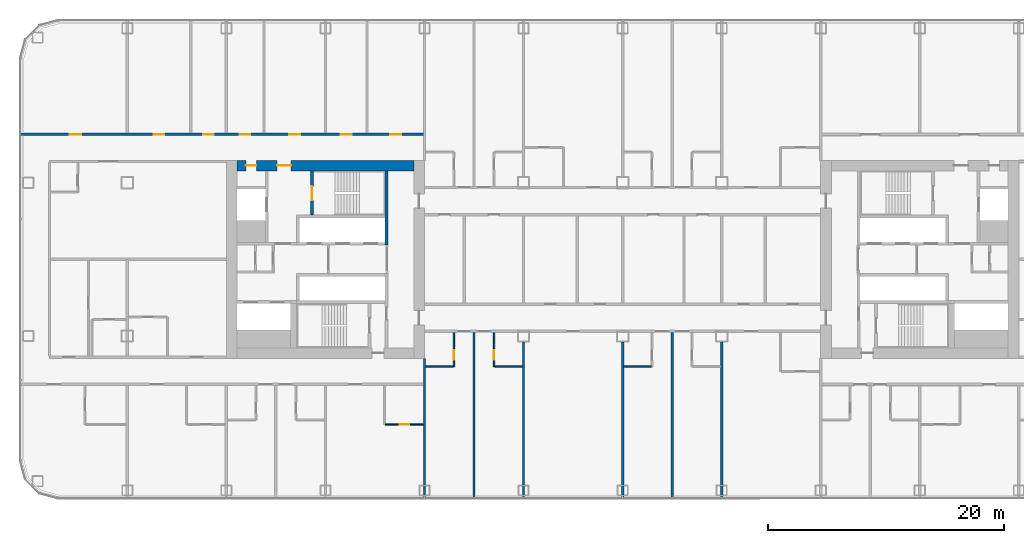
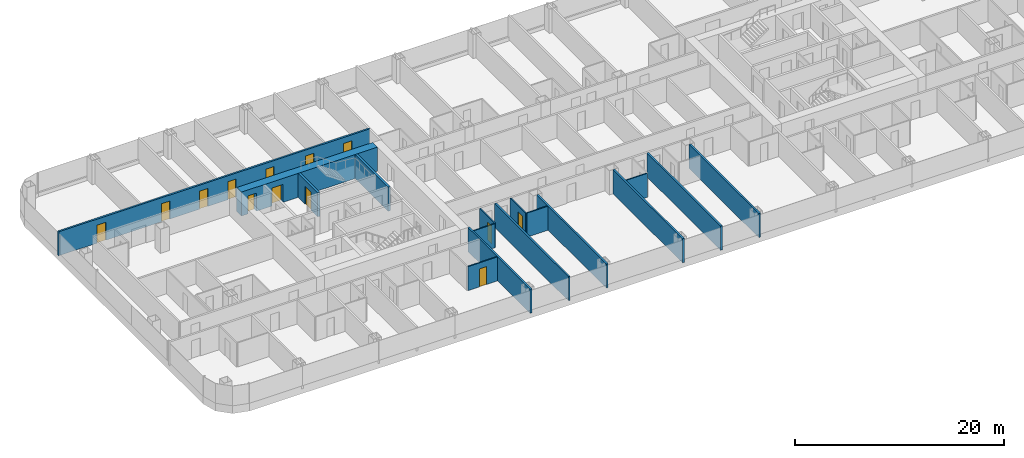
# One storey, part 15 of 29: 16 walls, 13 doors, 13 openings.
"""IFC4 building model written with IfcOpenShell, lengths in metres."""

from ifc_helpers import new_model, si_unit, direction, frame, frame_2d, origin, place, context, subcontext, project, spatial, rectangle, extrude, material, layer, layer_set, type_object, element, fill, save


model = new_model("IFC4")

# Units and contexts
model_context = context("Model", 3, precision=1e-05, world=origin(), true_north=direction((0.0, 1.0)))
body_context = subcontext(model_context, "Body", "Model", "MODEL_VIEW")
ifc_project = project(units=[si_unit("LENGTHUNIT", "METRE"), si_unit("AREAUNIT", "SQUARE_METRE"), si_unit("VOLUMEUNIT", "CUBIC_METRE"), si_unit("PLANEANGLEUNIT", "RADIAN"), si_unit("MASSUNIT", "GRAM", prefix="KILO")], contexts=[model_context])

# Site, building, storey
site_placement = place(None, origin())
site = spatial("IfcSite", under=ifc_project, at=site_placement, CompositionType="ELEMENT")
building_placement = place(site_placement, origin())
building = spatial("IfcBuilding", under=site, at=building_placement, Name="Hakoniwa Tower and Hamabe Station Hall", CompositionType="ELEMENT")
storey_placement = place(building_placement, frame((0.0, 0.0, 29.39990234375)))
storey = spatial("IfcBuildingStorey", under=building, at=storey_placement, Name="L07", CompositionType="ELEMENT", Elevation=29.39990234375)

# Wall, opening, door
ifc_material_1 = material(Name="Gypsum board partition", Category="gypsum")
ifc_layer_1 = layer(ifc_material_1, 0.125)
ifc_layer_set_1 = layer_set([ifc_layer_1], Name="Bathroom Partition 125")
wall_type_1 = type_object("IfcWallType", Name="Bathroom Partition 125", PredefinedType="PARTITIONING", material=ifc_layer_set_1)
wall_1_placement = place(storey_placement, frame((-20.137451171875, -14.0, 0.0), z_axis=(0.0, 0.0, 1.0), x_axis=(1.0, 0.0, 0.0)))
wall_1 = element("IfcWall", 1, at=wall_1_placement, inside=storey, type_object=wall_type_1, Name="GW-L07-003", PredefinedType="PARTITIONING", context=body_context, shape_type="SweptSolid", body=[
    extrude(rectangle(XDim=3.237548828125, YDim=0.125, at=frame_2d((1.61865234375, 0.0))), origin(), (0.0, 0.0, 1.0), 2.800048828125),
])
opening_1_placement = place(wall_1_placement, frame((1.237548828125, 0.0, 0.0)))
opening_1 = element("IfcOpeningElement", 2, at=opening_1_placement, cuts=wall_1, Name="Opening GD-G1D0-02", PredefinedType="OPENING", context=body_context, shape_type="SweptSolid", body=[
    extrude(rectangle(XDim=0.800048828125, YDim=2.10009765625, at=frame_2d((0.39990234375, 1.050048828125))), frame((0.0, 0.072509765625, 0.0), z_axis=(0.0, -1.0, 0.0), x_axis=(1.0, 0.0, 0.0)), (0.0, 0.0, 1.0), 0.14501953125),
])
ifc_material_2 = material(Name="Timber door leaf", Category="wood")
door_type_1 = type_object("IfcDoorType", Name="Bathroom Door 800", OperationType="SINGLE_SWING_LEFT", PredefinedType="DOOR", material=ifc_material_2)
door_1_placement = place(opening_1_placement, origin())
door_1 = element("IfcDoor", 3, at=door_1_placement, inside=storey, type_object=door_type_1, Name="Door GD-G1D0-02", OperationType="SINGLE_SWING_RIGHT", OverallHeight=2.10009765625, OverallWidth=0.800048828125, PredefinedType="DOOR", context=body_context, shape_type="SweptSolid", body=[
    extrude(rectangle(XDim=0.800048828125, YDim=2.10009765625, at=frame_2d((0.39990234375, 1.050048828125))), frame((0.0, 0.02490234375, 0.0), z_axis=(0.0, -1.0, 0.0), x_axis=(1.0, 0.0, 0.0)), (0.0, 0.0, 1.0), 0.050048828125),
])
fill(opening_1, door_1)

# Walls
for number, where, z_axis, x_axis, name in (
    (4, (-16.699951171875, -9.10009765625, 0.0), (0.0, 0.0, 1.0), (1.0, 0.0, 0.0), "GW-L07-015"),
    (5, (-10.83740234375, -9.10009765625, 0.0), (0.0, 0.0, 1.0), (1.0, 0.0, 0.0), "GW-L07-016"),
    (6, (0.10009765625, -9.10009765625, 0.0), (0.0, 0.0, 1.0), (1.0, 0.0, 0.0), "GW-L07-017"),
):
    element("IfcWall", number, at=place(storey_placement, frame(where, z_axis=z_axis, x_axis=x_axis)), inside=storey, type_object=wall_type_1, Name=name, PredefinedType="PARTITIONING", context=body_context, shape_type="SweptSolid", body=[
        extrude(rectangle(XDim=2.33740234375, YDim=0.125, at=frame_2d((1.168701171875, 0.0))), origin(), (0.0, 0.0, 1.0), 2.800048828125),
    ])

# Wall, opening, door
wall_2_placement = place(storey_placement, frame((-14.300048828125, -9.10009765625, 0.0), z_axis=(0.0, 0.0, 1.0), x_axis=(0.0, 1.0, 0.0)))
wall_2 = element("IfcWall", 7, at=wall_2_placement, inside=storey, type_object=wall_type_1, Name="GW-L07-066", PredefinedType="PARTITIONING", context=body_context, shape_type="SweptSolid", body=[
    extrude(rectangle(XDim=2.900146484375, YDim=0.125, at=frame_2d((1.4501953125, 0.0))), origin(), (0.0, 0.0, 1.0), 2.800048828125),
])
opening_2_placement = place(wall_2_placement, frame((0.60009765625, 0.0, 0.0)))
opening_2 = element("IfcOpeningElement", 8, at=opening_2_placement, cuts=wall_2, Name="Opening GD-G1D0-66", PredefinedType="OPENING", context=body_context, shape_type="SweptSolid", body=[
    extrude(rectangle(XDim=0.800048828125, YDim=2.10009765625, at=frame_2d((0.39990234375, 1.050048828125))), frame((0.0, 0.072509765625, 0.0), z_axis=(0.0, -1.0, 0.0), x_axis=(1.0, 0.0, 0.0)), (0.0, 0.0, 1.0), 0.14501953125),
])
door_2_placement = place(opening_2_placement, origin())
door_2 = element("IfcDoor", 9, at=door_2_placement, inside=storey, type_object=door_type_1, Name="Door GD-G1D0-66", OperationType="SINGLE_SWING_RIGHT", OverallHeight=2.10009765625, OverallWidth=0.800048828125, PredefinedType="DOOR", context=body_context, shape_type="SweptSolid", body=[
    extrude(rectangle(XDim=0.800048828125, YDim=2.10009765625, at=frame_2d((0.39990234375, 1.050048828125))), frame((0.0, 0.02490234375, 0.0), z_axis=(0.0, -1.0, 0.0), x_axis=(1.0, 0.0, 0.0)), (0.0, 0.0, 1.0), 0.050048828125),
])
fill(opening_2, door_2)

wall_3_placement = place(storey_placement, frame((-10.89990234375, -9.10009765625, 0.0), z_axis=(0.0, 0.0, 1.0), x_axis=(0.0, 1.0, 0.0)))
wall_3 = element("IfcWall", 10, at=wall_3_placement, inside=storey, type_object=wall_type_1, Name="GW-L07-071", PredefinedType="PARTITIONING", context=body_context, shape_type="SweptSolid", body=[
    extrude(rectangle(XDim=2.900146484375, YDim=0.125, at=frame_2d((1.4501953125, 0.0))), origin(), (0.0, 0.0, 1.0), 2.800048828125),
])
opening_3_placement = place(wall_3_placement, frame((0.60009765625, 0.0, 0.0)))
opening_3 = element("IfcOpeningElement", 11, at=opening_3_placement, cuts=wall_3, Name="Opening GD-G1D0-68", PredefinedType="OPENING", context=body_context, shape_type="SweptSolid", body=[
    extrude(rectangle(XDim=0.800048828125, YDim=2.10009765625, at=frame_2d((0.39990234375, 1.050048828125))), frame((0.0, 0.072509765625, 0.0), z_axis=(0.0, -1.0, 0.0), x_axis=(1.0, 0.0, 0.0)), (0.0, 0.0, 1.0), 0.14501953125),
])
door_3_placement = place(opening_3_placement, origin())
door_3 = element("IfcDoor", 12, at=door_3_placement, inside=storey, type_object=door_type_1, Name="Door GD-G1D0-68", OperationType="SINGLE_SWING_LEFT", OverallHeight=2.10009765625, OverallWidth=0.800048828125, PredefinedType="DOOR", context=body_context, shape_type="SweptSolid", body=[
    extrude(rectangle(XDim=0.800048828125, YDim=2.10009765625, at=frame_2d((0.39990234375, 1.050048828125))), frame((0.0, 0.02490234375, 0.0), z_axis=(0.0, -1.0, 0.0), x_axis=(1.0, 0.0, 0.0)), (0.0, 0.0, 1.0), 0.050048828125),
])
fill(opening_3, door_3)

# Wall, openings, doors
ifc_material_3 = material(Name="Concrete C80", Category="concrete")
ifc_layer_2 = layer(ifc_material_3, 0.89990234375)
ifc_layer_set_2 = layer_set([ifc_layer_2], Name="CORE WALL 900 C80")
wall_type_2 = type_object("IfcWallType", Name="CORE WALL 900 C80", PredefinedType="SHEAR", material=ifc_layer_set_2)
wall_4_placement = place(storey_placement, frame((-32.699951171875, 7.949951171875, 0.0), z_axis=(0.0, 0.0, 1.0), x_axis=(1.0, 0.0, 0.0)))
wall_4 = element("IfcWall", 13, at=wall_4_placement, inside=storey, type_object=wall_type_2, Name="Core wall NORTH west", PredefinedType="SHEAR", context=body_context, shape_type="SweptSolid", body=[
    extrude(rectangle(XDim=15.0, YDim=0.89990234375, at=frame_2d((7.5, 0.0))), origin(), (0.0, 0.0, 1.0), 2.800048828125),
])
opening_4_placement = place(wall_4_placement, frame((3.39990234375, 0.0, 0.0)))
opening_4 = element("IfcOpeningElement", 14, at=opening_4_placement, cuts=wall_4, Name="Opening CD-W-FN1-12", PredefinedType="OPENING", context=body_context, shape_type="SweptSolid", body=[
    extrude(rectangle(XDim=1.199951171875, YDim=2.10009765625, at=frame_2d((0.60009765625, 1.050048828125))), frame((0.0, 0.4599609375, 0.0), z_axis=(0.0, -1.0, 0.0), x_axis=(1.0, 0.0, 0.0)), (0.0, 0.0, 1.0), 0.919921875),
])
opening_5_placement = place(wall_4_placement, frame((0.75, 0.0, 0.0)))
opening_5 = element("IfcOpeningElement", 15, at=opening_5_placement, cuts=wall_4, Name="Opening CD-W-FN2-9", PredefinedType="OPENING", context=body_context, shape_type="SweptSolid", body=[
    extrude(rectangle(XDim=0.89990234375, YDim=2.10009765625, at=frame_2d((0.449951171875, 1.050048828125))), frame((0.0, 0.4599609375, 0.0), z_axis=(0.0, -1.0, 0.0), x_axis=(1.0, 0.0, 0.0)), (0.0, 0.0, 1.0), 0.919921875),
])
ifc_material_4 = material(Name="Steel fire door", Category="steel")
door_type_2 = type_object("IfcDoorType", Name="CORE DOOR 1200 FD60", OperationType="DOUBLE_DOOR_SINGLE_SWING", PredefinedType="DOOR", material=ifc_material_4)
door_4_placement = place(opening_4_placement, origin())
door_4 = element("IfcDoor", 16, at=door_4_placement, inside=storey, type_object=door_type_2, Name="Stair vestibule door to the fire-fighting lobby", OperationType="DOUBLE_DOOR_SINGLE_SWING", OverallHeight=2.10009765625, OverallWidth=1.199951171875, PredefinedType="DOOR", context=body_context, shape_type="SweptSolid", body=[
    extrude(rectangle(XDim=1.199951171875, YDim=2.10009765625, at=frame_2d((0.60009765625, 1.050048828125))), frame((0.0, 0.02490234375, 0.0), z_axis=(0.0, -1.0, 0.0), x_axis=(1.0, 0.0, 0.0)), (0.0, 0.0, 1.0), 0.050048828125),
])
fill(opening_4, door_4)
ifc_material_5 = material(Name="Steel fire door", Category="steel")
door_type_3 = type_object("IfcDoorType", Name="CORE DOOR 900 FD30", OperationType="NOTDEFINED", PredefinedType="DOOR", material=ifc_material_5)
door_5_placement = place(opening_5_placement, origin())
door_5 = element("IfcDoor", 17, at=door_5_placement, inside=storey, type_object=door_type_3, Name="Riser access door", OperationType="SINGLE_SWING_RIGHT", OverallHeight=2.10009765625, OverallWidth=0.89990234375, PredefinedType="DOOR", context=body_context, shape_type="SweptSolid", body=[
    extrude(rectangle(XDim=0.89990234375, YDim=2.10009765625, at=frame_2d((0.449951171875, 1.050048828125))), frame((0.0, 0.02490234375, 0.0), z_axis=(0.0, -1.0, 0.0), x_axis=(1.0, 0.0, 0.0)), (0.0, 0.0, 1.0), 0.050048828125),
])
fill(opening_5, door_5)

# Wall
ifc_material_6 = material(Name="Concrete C80", Category="concrete")
ifc_layer_3 = layer(ifc_material_6, 0.25)
ifc_layer_set_3 = layer_set([ifc_layer_3], Name="CORE WEB WALL 250 C80")
wall_type_3 = type_object("IfcWallType", Name="CORE WEB WALL 250 C80", PredefinedType="SHEAR", material=ifc_layer_set_3)
wall_5_placement = place(storey_placement, frame((-20.02490234375, 1.199951171875, 0.0), z_axis=(0.0, 0.0, 1.0), x_axis=(0.0, 1.0, 0.0)))
element("IfcWall", 18, at=wall_5_placement, inside=storey, type_object=wall_type_3, Name="Core wall W1N west", PredefinedType="SHEAR", context=body_context, shape_type="SweptSolid", body=[
    extrude(rectangle(XDim=6.300048828125, YDim=0.25, at=frame_2d((3.14990234375, 0.0))), origin(), (0.0, 0.0, 1.0), 2.800048828125),
])

# Wall, opening, door
wall_6_placement = place(storey_placement, frame((-26.324951171875, 3.75, 0.0), z_axis=(0.0, 0.0, 1.0), x_axis=(0.0, 1.0, 0.0)))
wall_6 = element("IfcWall", 19, at=wall_6_placement, inside=storey, type_object=wall_type_3, Name="Core wall NSE west", PredefinedType="SHEAR", context=body_context, shape_type="SweptSolid", body=[
    extrude(rectangle(XDim=3.75, YDim=0.25, at=frame_2d((1.875, 0.0))), origin(), (0.0, 0.0, 1.0), 2.800048828125),
])
opening_6_placement = place(wall_6_placement, frame((1.25, 0.0, 0.0)))
opening_6 = element("IfcOpeningElement", 20, at=opening_6_placement, cuts=wall_6, Name="Opening CD-W-SN-12", PredefinedType="OPENING", context=body_context, shape_type="SweptSolid", body=[
    extrude(rectangle(XDim=1.199951171875, YDim=2.10009765625, at=frame_2d((0.60009765625, 1.050048828125))), frame((0.0, 0.135009765625, 0.0), z_axis=(0.0, -1.0, 0.0), x_axis=(1.0, 0.0, 0.0)), (0.0, 0.0, 1.0), 0.27001953125),
])
door_6_placement = place(opening_6_placement, origin())
door_6 = element("IfcDoor", 21, at=door_6_placement, inside=storey, type_object=door_type_2, Name="Escape stair door", OperationType="DOUBLE_DOOR_SINGLE_SWING", OverallHeight=2.10009765625, OverallWidth=1.199951171875, PredefinedType="DOOR", context=body_context, shape_type="SweptSolid", body=[
    extrude(rectangle(XDim=1.199951171875, YDim=2.10009765625, at=frame_2d((0.60009765625, 1.050048828125))), frame((0.0, 0.02490234375, 0.0), z_axis=(0.0, -1.0, 0.0), x_axis=(1.0, 0.0, 0.0)), (0.0, 0.0, 1.0), 0.050048828125),
])
fill(opening_6, door_6)

# Wall, openings, doors
ifc_material_7 = material(Name="Fire-rated gypsum board partition", Category="gypsum")
ifc_layer_4 = layer(ifc_material_7, 0.199951171875)
ifc_layer_set_4 = layer_set([ifc_layer_4], Name="Corridor Wall 200")
wall_type_4 = type_object("IfcWallType", Name="Corridor Wall 200", PredefinedType="PARTITIONING", material=ifc_layer_set_4)
wall_7_placement = place(storey_placement, frame((-51.10009765625, 10.60009765625, 0.0), z_axis=(0.0, 0.0, 1.0), x_axis=(1.0, 0.0, 0.0)))
wall_7 = element("IfcWall", 22, at=wall_7_placement, inside=storey, type_object=wall_type_4, Name="GW-L07-041", PredefinedType="PARTITIONING", context=body_context, shape_type="SweptSolid", body=[
    extrude(rectangle(XDim=34.300048828125, YDim=0.199951171875, at=frame_2d((17.14990234375, 0.0))), origin(), (0.0, 0.0, 1.0), 2.800048828125),
])
opening_7_placement = place(wall_7_placement, frame((4.199951171875, 0.0, 0.0)))
opening_7 = element("IfcOpeningElement", 23, at=opening_7_placement, cuts=wall_7, Name="Opening GD-G1D0-50", PredefinedType="OPENING", context=body_context, shape_type="SweptSolid", body=[
    extrude(rectangle(XDim=1.0, YDim=2.10009765625, at=frame_2d((0.5, 1.050048828125))), frame((0.0, 0.10986328125, 0.0), z_axis=(0.0, -1.0, 0.0), x_axis=(1.0, 0.0, 0.0)), (0.0, 0.0, 1.0), 0.219970703125),
])
opening_8_placement = place(wall_7_placement, frame((11.340087890625, 0.0, 0.0)))
opening_8 = element("IfcOpeningElement", 24, at=opening_8_placement, cuts=wall_7, Name="Opening GD-G1D0-51", PredefinedType="OPENING", context=body_context, shape_type="SweptSolid", body=[
    extrude(rectangle(XDim=0.89990234375, YDim=2.10009765625, at=frame_2d((0.449951171875, 1.050048828125))), frame((0.0, 0.10986328125, 0.0), z_axis=(0.0, -1.0, 0.0), x_axis=(1.0, 0.0, 0.0)), (0.0, 0.0, 1.0), 0.219970703125),
])
opening_9_placement = place(wall_7_placement, frame((15.5400390625, 0.0, 0.0)))
opening_9 = element("IfcOpeningElement", 25, at=opening_9_placement, cuts=wall_7, Name="Opening GD-G1D0-52", PredefinedType="OPENING", context=body_context, shape_type="SweptSolid", body=[
    extrude(rectangle(XDim=0.89990234375, YDim=2.10009765625, at=frame_2d((0.449951171875, 1.050048828125))), frame((0.0, 0.10986328125, 0.0), z_axis=(0.0, -1.0, 0.0), x_axis=(1.0, 0.0, 0.0)), (0.0, 0.0, 1.0), 0.219970703125),
])
opening_10_placement = place(wall_7_placement, frame((18.64501953125, 0.0, 0.0)))
opening_10 = element("IfcOpeningElement", 26, at=opening_10_placement, cuts=wall_7, Name="Opening GD-G1D0-53", PredefinedType="OPENING", context=body_context, shape_type="SweptSolid", body=[
    extrude(rectangle(XDim=0.89990234375, YDim=2.10009765625, at=frame_2d((0.449951171875, 1.050048828125))), frame((0.0, 0.10986328125, 0.0), z_axis=(0.0, -1.0, 0.0), x_axis=(1.0, 0.0, 0.0)), (0.0, 0.0, 1.0), 0.219970703125),
])
opening_11_placement = place(wall_7_placement, frame((22.844970703125, 0.0, 0.0)))
opening_11 = element("IfcOpeningElement", 27, at=opening_11_placement, cuts=wall_7, Name="Opening GD-G1D0-54", PredefinedType="OPENING", context=body_context, shape_type="SweptSolid", body=[
    extrude(rectangle(XDim=0.89990234375, YDim=2.10009765625, at=frame_2d((0.449951171875, 1.050048828125))), frame((0.0, 0.10986328125, 0.0), z_axis=(0.0, -1.0, 0.0), x_axis=(1.0, 0.0, 0.0)), (0.0, 0.0, 1.0), 0.219970703125),
])
opening_12_placement = place(wall_7_placement, frame((27.215087890625, 0.0, 0.0)))
opening_12 = element("IfcOpeningElement", 28, at=opening_12_placement, cuts=wall_7, Name="Opening GD-G1D0-55", PredefinedType="OPENING", context=body_context, shape_type="SweptSolid", body=[
    extrude(rectangle(XDim=0.89990234375, YDim=2.10009765625, at=frame_2d((0.449951171875, 1.050048828125))), frame((0.0, 0.10986328125, 0.0), z_axis=(0.0, -1.0, 0.0), x_axis=(1.0, 0.0, 0.0)), (0.0, 0.0, 1.0), 0.219970703125),
])
opening_13_placement = place(wall_7_placement, frame((31.4150390625, 0.0, 0.0)))
opening_13 = element("IfcOpeningElement", 29, at=opening_13_placement, cuts=wall_7, Name="Opening GD-G1D0-56", PredefinedType="OPENING", context=body_context, shape_type="SweptSolid", body=[
    extrude(rectangle(XDim=0.89990234375, YDim=2.10009765625, at=frame_2d((0.449951171875, 1.050048828125))), frame((0.0, 0.10986328125, 0.0), z_axis=(0.0, -1.0, 0.0), x_axis=(1.0, 0.0, 0.0)), (0.0, 0.0, 1.0), 0.219970703125),
])
ifc_material_8 = material(Name="Timber door leaf", Category="wood")
door_type_4 = type_object("IfcDoorType", Name="Guest Entrance Door 1000", OperationType="SINGLE_SWING_LEFT", PredefinedType="DOOR", material=ifc_material_8)
door_7_placement = place(opening_7_placement, origin())
door_7 = element("IfcDoor", 30, at=door_7_placement, inside=storey, type_object=door_type_4, Name="Door GD-G1D0-50", OperationType="SINGLE_SWING_LEFT", OverallHeight=2.10009765625, OverallWidth=1.0, PredefinedType="DOOR", context=body_context, shape_type="SweptSolid", body=[
    extrude(rectangle(XDim=1.0, YDim=2.10009765625, at=frame_2d((0.5, 1.050048828125))), frame((0.0, 0.02490234375, 0.0), z_axis=(0.0, -1.0, 0.0), x_axis=(1.0, 0.0, 0.0)), (0.0, 0.0, 1.0), 0.050048828125),
])
fill(opening_7, door_7)
ifc_material_9 = material(Name="Timber door leaf", Category="wood")
door_type_5 = type_object("IfcDoorType", Name="Service Door 900", OperationType="SINGLE_SWING_LEFT", PredefinedType="DOOR", material=ifc_material_9)
door_8_placement = place(opening_8_placement, origin())
door_8 = element("IfcDoor", 31, at=door_8_placement, inside=storey, type_object=door_type_5, Name="Door GD-G1D0-51", OperationType="SINGLE_SWING_RIGHT", OverallHeight=2.10009765625, OverallWidth=0.89990234375, PredefinedType="DOOR", context=body_context, shape_type="SweptSolid", body=[
    extrude(rectangle(XDim=0.89990234375, YDim=2.10009765625, at=frame_2d((0.449951171875, 1.050048828125))), frame((0.0, 0.02490234375, 0.0), z_axis=(0.0, -1.0, 0.0), x_axis=(1.0, 0.0, 0.0)), (0.0, 0.0, 1.0), 0.050048828125),
])
fill(opening_8, door_8)
door_9_placement = place(opening_9_placement, origin())
door_9 = element("IfcDoor", 32, at=door_9_placement, inside=storey, type_object=door_type_5, Name="Door GD-G1D0-52", OperationType="SINGLE_SWING_LEFT", OverallHeight=2.10009765625, OverallWidth=0.89990234375, PredefinedType="DOOR", context=body_context, shape_type="SweptSolid", body=[
    extrude(rectangle(XDim=0.89990234375, YDim=2.10009765625, at=frame_2d((0.449951171875, 1.050048828125))), frame((0.0, 0.02490234375, 0.0), z_axis=(0.0, -1.0, 0.0), x_axis=(1.0, 0.0, 0.0)), (0.0, 0.0, 1.0), 0.050048828125),
])
fill(opening_9, door_9)
door_10_placement = place(opening_10_placement, origin())
door_10 = element("IfcDoor", 33, at=door_10_placement, inside=storey, type_object=door_type_5, Name="Door GD-G1D0-53", OperationType="SINGLE_SWING_RIGHT", OverallHeight=2.10009765625, OverallWidth=0.89990234375, PredefinedType="DOOR", context=body_context, shape_type="SweptSolid", body=[
    extrude(rectangle(XDim=0.89990234375, YDim=2.10009765625, at=frame_2d((0.449951171875, 1.050048828125))), frame((0.0, 0.02490234375, 0.0), z_axis=(0.0, -1.0, 0.0), x_axis=(1.0, 0.0, 0.0)), (0.0, 0.0, 1.0), 0.050048828125),
])
fill(opening_10, door_10)
door_11_placement = place(opening_11_placement, origin())
door_11 = element("IfcDoor", 34, at=door_11_placement, inside=storey, type_object=door_type_5, Name="Door GD-G1D0-54", OperationType="SINGLE_SWING_LEFT", OverallHeight=2.10009765625, OverallWidth=0.89990234375, PredefinedType="DOOR", context=body_context, shape_type="SweptSolid", body=[
    extrude(rectangle(XDim=0.89990234375, YDim=2.10009765625, at=frame_2d((0.449951171875, 1.050048828125))), frame((0.0, 0.02490234375, 0.0), z_axis=(0.0, -1.0, 0.0), x_axis=(1.0, 0.0, 0.0)), (0.0, 0.0, 1.0), 0.050048828125),
])
fill(opening_11, door_11)
door_12_placement = place(opening_12_placement, origin())
door_12 = element("IfcDoor", 35, at=door_12_placement, inside=storey, type_object=door_type_5, Name="Door GD-G1D0-55", OperationType="SINGLE_SWING_RIGHT", OverallHeight=2.10009765625, OverallWidth=0.89990234375, PredefinedType="DOOR", context=body_context, shape_type="SweptSolid", body=[
    extrude(rectangle(XDim=0.89990234375, YDim=2.10009765625, at=frame_2d((0.449951171875, 1.050048828125))), frame((0.0, 0.02490234375, 0.0), z_axis=(0.0, -1.0, 0.0), x_axis=(1.0, 0.0, 0.0)), (0.0, 0.0, 1.0), 0.050048828125),
])
fill(opening_12, door_12)
door_13_placement = place(opening_13_placement, origin())
door_13 = element("IfcDoor", 36, at=door_13_placement, inside=storey, type_object=door_type_5, Name="Door GD-G1D0-56", OperationType="SINGLE_SWING_LEFT", OverallHeight=2.10009765625, OverallWidth=0.89990234375, PredefinedType="DOOR", context=body_context, shape_type="SweptSolid", body=[
    extrude(rectangle(XDim=0.89990234375, YDim=2.10009765625, at=frame_2d((0.449951171875, 1.050048828125))), frame((0.0, 0.02490234375, 0.0), z_axis=(0.0, -1.0, 0.0), x_axis=(1.0, 0.0, 0.0)), (0.0, 0.0, 1.0), 0.050048828125),
])
fill(opening_13, door_13)

# Walls
ifc_material_10 = material(Name="Fire-rated gypsum board partition", Category="gypsum")
ifc_layer_5 = layer(ifc_material_10, 0.199951171875)
ifc_layer_set_5 = layer_set([ifc_layer_5], Name="Party Wall 200")
wall_type_5 = type_object("IfcWallType", Name="Party Wall 200", PredefinedType="PARTITIONING", material=ifc_layer_set_5)
wall_8_placement = place(storey_placement, frame((-16.800048828125, -20.300048828125, 0.0), z_axis=(0.0, 0.0, 1.0), x_axis=(0.0, 1.0, 0.0)))
element("IfcWall", 37, at=wall_8_placement, inside=storey, type_object=wall_type_5, Name="GW-L07-064", PredefinedType="PARTITIONING", context=body_context, shape_type="SweptSolid", body=[
    extrude(rectangle(XDim=11.91015625, YDim=0.199951171875, at=frame_2d((5.955078125, 0.0))), origin(), (0.0, 0.0, 1.0), 2.800048828125),
])
wall_9_placement = place(storey_placement, frame((-12.60009765625, -20.300048828125, 0.0), z_axis=(0.0, 0.0, 1.0), x_axis=(0.0, 1.0, 0.0)))
element("IfcWall", 38, at=wall_9_placement, inside=storey, type_object=wall_type_5, Name="GW-L07-069", PredefinedType="PARTITIONING", context=body_context, shape_type="SweptSolid", body=[
    extrude(rectangle(XDim=14.10009765625, YDim=0.199951171875, at=frame_2d((7.050048828125, 0.0))), origin(), (0.0, 0.0, 1.0), 2.800048828125),
])
for number, where, z_axis, x_axis, name in (
    (39, (-8.39990234375, -20.300048828125, 0.0), (0.0, 0.0, 1.0), (0.0, 1.0, 0.0), "GW-L07-073"),
    (40, (0.0, -20.300048828125, 0.0), (0.0, 0.0, 1.0), (0.0, 1.0, 0.0), "GW-L07-078"),
):
    element("IfcWall", number, at=place(storey_placement, frame(where, z_axis=z_axis, x_axis=x_axis)), inside=storey, type_object=wall_type_5, Name=name, PredefinedType="PARTITIONING", context=body_context, shape_type="SweptSolid", body=[
        extrude(rectangle(XDim=13.31005859375, YDim=0.199951171875, at=frame_2d((6.655029296875, 0.0))), origin(), (0.0, 0.0, 1.0), 2.800048828125),
    ])
wall_10_placement = place(storey_placement, frame((4.199951171875, -20.300048828125, 0.0), z_axis=(0.0, 0.0, 1.0), x_axis=(0.0, 1.0, 0.0)))
element("IfcWall", 41, at=wall_10_placement, inside=storey, type_object=wall_type_5, Name="GW-L07-083", PredefinedType="PARTITIONING", context=body_context, shape_type="SweptSolid", body=[
    extrude(rectangle(XDim=14.10009765625, YDim=0.199951171875, at=frame_2d((7.050048828125, 0.0))), origin(), (0.0, 0.0, 1.0), 2.800048828125),
])
wall_11_placement = place(storey_placement, frame((8.39990234375, -20.300048828125, 0.0), z_axis=(0.0, 0.0, 1.0), x_axis=(0.0, 1.0, 0.0)))
element("IfcWall", 42, at=wall_11_placement, inside=storey, type_object=wall_type_5, Name="GW-L07-088", PredefinedType="PARTITIONING", context=body_context, shape_type="SweptSolid", body=[
    extrude(rectangle(XDim=13.31005859375, YDim=0.199951171875, at=frame_2d((6.655029296875, 0.0))), origin(), (0.0, 0.0, 1.0), 2.800048828125),
])

save(model, "model.ifc")
